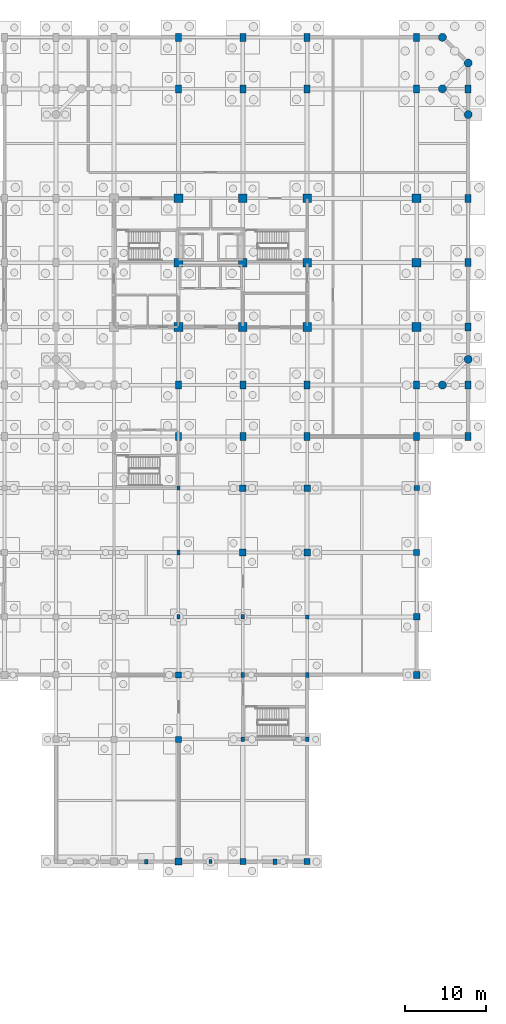
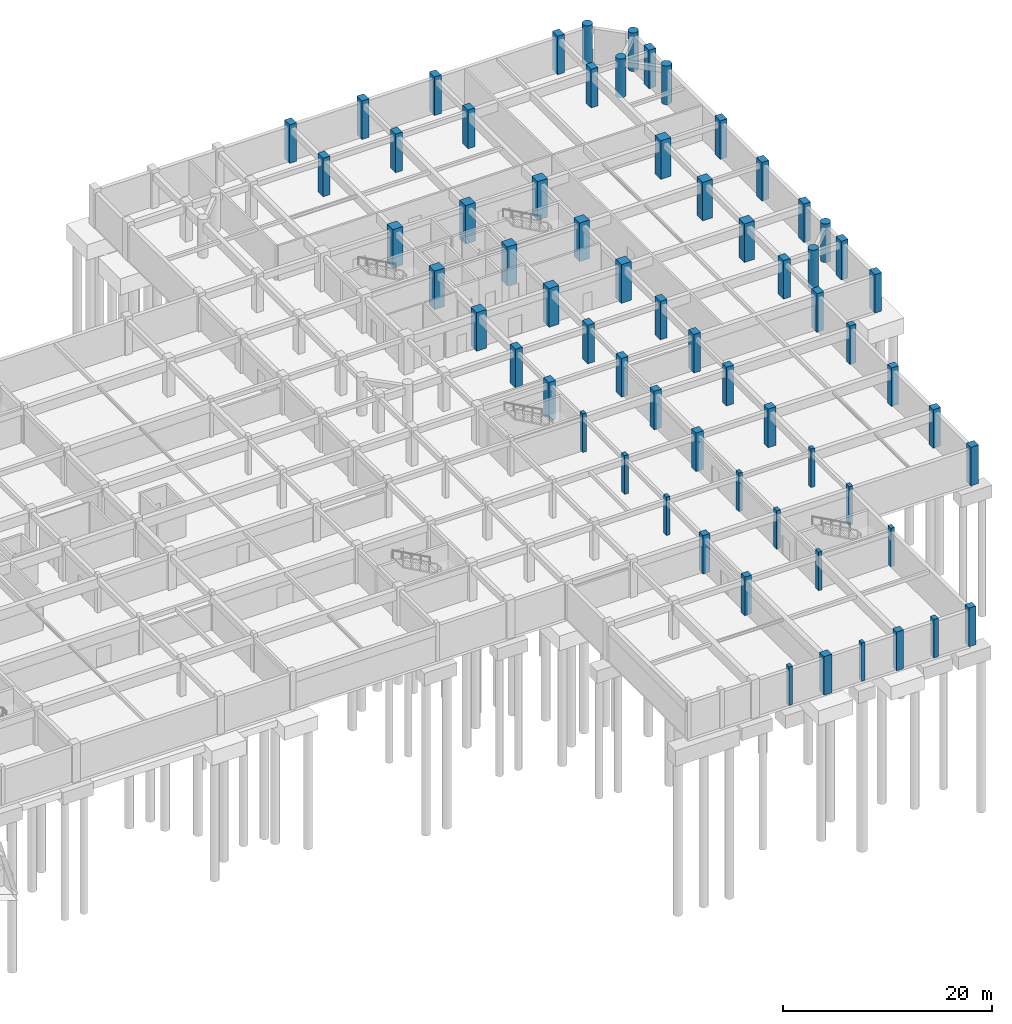
# One storey, part 8 of 28: 65 columns.
"""IFC4 building model written with IfcOpenShell, lengths in metres."""

from ifc_helpers import new_model, si_unit, direction, frame, origin, origin_2d, place, context, subcontext, project, spatial, rectangle, circle, extrude, material, material_profile, profile_set, type_object, element, save


model = new_model("IFC4")

# Units and contexts
model_context = context("Model", 3, precision=1e-05, world=origin(), true_north=direction((0.0, 1.0)))
body_context = subcontext(model_context, "Body", "Model", "MODEL_VIEW")
ifc_project = project(units=[si_unit("LENGTHUNIT", "METRE"), si_unit("AREAUNIT", "SQUARE_METRE"), si_unit("VOLUMEUNIT", "CUBIC_METRE"), si_unit("PLANEANGLEUNIT", "RADIAN"), si_unit("MASSUNIT", "GRAM", prefix="KILO")], contexts=[model_context])

# Site, building, storey
site_placement = place(None, origin())
site = spatial("IfcSite", under=ifc_project, at=site_placement, CompositionType="ELEMENT")
building_placement = place(site_placement, origin())
building = spatial("IfcBuilding", under=site, at=building_placement, Name="Vellmiral Cinema and Media Centre", CompositionType="ELEMENT")
storey_placement = place(building_placement, frame((0.0, 0.0, -4.5)))
storey = spatial("IfcBuildingStorey", under=building, at=storey_placement, Name="B1", CompositionType="ELEMENT", Elevation=-4.5)

# Columns
ifc_material_1 = material(Name="Concrete C40/50", Category="concrete")
ifc_material_profile_1 = material_profile(ifc_material_1, rectangle(XDim=1.10009765625, YDim=1.10009765625, at=origin_2d()), Name="RC 1100x1100")
ifc_profile_set_1 = profile_set([ifc_material_profile_1], Name="Concrete C40/50")
column_type_1 = type_object("IfcColumnType", Name="COL-RC-1100x1100", PredefinedType="COLUMN", material=ifc_profile_set_1)
for number, where, z_axis, x_axis, name in (
    (1, (132.0, 79.199951171875, 0.0), (0.0, 0.0, 1.0), (1.0, 0.0, 0.0), "Column B1-183"),
    (2, (132.0, 87.199951171875, 0.0), (0.0, 0.0, 1.0), (1.0, 0.0, 0.0), "Column B1-184"),
    (3, (132.0, 95.199951171875, 0.0), (0.0, 0.0, 1.0), (1.0, 0.0, 0.0), "Column B1-185"),
    (4, (140.0, 79.199951171875, 0.0), (0.0, 0.0, 1.0), (1.0, 0.0, 0.0), "Column B1-196"),
    (5, (140.0, 87.199951171875, 0.0), (0.0, 0.0, 1.0), (1.0, 0.0, 0.0), "Column B1-197"),
    (6, (140.0, 95.199951171875, 0.0), (0.0, 0.0, 1.0), (1.0, 0.0, 0.0), "Column B1-198"),
    (7, (148.0, 79.199951171875, 0.0), (0.0, 0.0, 1.0), (1.0, 0.0, 0.0), "Column B1-209"),
    (8, (148.0, 87.199951171875, 0.0), (0.0, 0.0, 1.0), (1.0, 0.0, 0.0), "Column B1-210"),
    (9, (148.0, 95.199951171875, 0.0), (0.0, 0.0, 1.0), (1.0, 0.0, 0.0), "Column B1-211"),
    (10, (161.60009765625, 79.199951171875, 0.0), (0.0, 0.0, 1.0), (1.0, 0.0, 0.0), "Column B1-220"),
    (11, (161.60009765625, 87.199951171875, 0.0), (0.0, 0.0, 1.0), (1.0, 0.0, 0.0), "Column B1-221"),
    (12, (161.60009765625, 95.199951171875, 0.0), (0.0, 0.0, 1.0), (1.0, 0.0, 0.0), "Column B1-222"),
):
    element("IfcColumn", number, at=place(storey_placement, frame(where, z_axis=z_axis, x_axis=x_axis)), inside=storey, type_object=column_type_1, Name=name, PredefinedType="COLUMN", context=body_context, shape_type="SweptSolid", body=[
        extrude(rectangle(XDim=1.10009765625, YDim=1.10009765625, at=origin_2d()), origin(), (0.0, 0.0, 1.0), 4.5),
    ])
ifc_material_2 = material(Name="Concrete C40/50", Category="concrete")
ifc_material_profile_2 = material_profile(ifc_material_2, rectangle(XDim=0.39990234375, YDim=0.5, at=origin_2d()), Name="RC 400x500")
ifc_profile_set_2 = profile_set([ifc_material_profile_2], Name="Concrete C40/50")
column_type_2 = type_object("IfcColumnType", Name="COL-RC-400x500", PredefinedType="COLUMN", material=ifc_profile_set_2)
for number, where, z_axis, x_axis, name in (
    (13, (132.0, 59.199951171875, 0.0), (0.0, 0.0, 1.0), (1.0, 0.0, 0.0), "Column B1-180"),
    (14, (148.0, 43.199951171875, 0.0), (0.0, 0.0, 1.0), (1.0, 0.0, 0.0), "Column B1-204"),
):
    element("IfcColumn", number, at=place(storey_placement, frame(where, z_axis=z_axis, x_axis=x_axis)), inside=storey, type_object=column_type_2, Name=name, PredefinedType="COLUMN", context=body_context, shape_type="SweptSolid", body=[
        extrude(rectangle(XDim=0.39990234375, YDim=0.5, at=origin_2d()), origin(), (0.0, 0.0, 1.0), 4.5),
    ])
ifc_material_3 = material(Name="Concrete C40/50", Category="concrete")
ifc_material_profile_3 = material_profile(ifc_material_3, rectangle(XDim=0.39990234375, YDim=0.550048828125, at=origin_2d()), Name="RC 400x550")
ifc_profile_set_3 = profile_set([ifc_material_profile_3], Name="Concrete C40/50")
column_type_3 = type_object("IfcColumnType", Name="COL-RC-400x550", PredefinedType="COLUMN", material=ifc_profile_set_3)
for number, where, z_axis, x_axis, name in (
    (15, (132.0, 43.199951171875, 0.0), (0.0, 0.0, 1.0), (1.0, 0.0, 0.0), "Column B1-178"),
    (16, (140.0, 43.199951171875, 0.0), (0.0, 0.0, 1.0), (1.0, 0.0, 0.0), "Column B1-191"),
):
    element("IfcColumn", number, at=place(storey_placement, frame(where, z_axis=z_axis, x_axis=x_axis)), inside=storey, type_object=column_type_3, Name=name, PredefinedType="COLUMN", context=body_context, shape_type="SweptSolid", body=[
        extrude(rectangle(XDim=0.39990234375, YDim=0.550048828125, at=origin_2d()), origin(), (0.0, 0.0, 1.0), 4.5),
    ])
ifc_material_4 = material(Name="Concrete C40/50", Category="concrete")
ifc_material_profile_4 = material_profile(ifc_material_4, rectangle(XDim=0.39990234375, YDim=0.60009765625, at=origin_2d()), Name="RC 400x600")
ifc_profile_set_4 = profile_set([ifc_material_profile_4], Name="Concrete C40/50")
column_type_4 = type_object("IfcColumnType", Name="COL-RC-400x600", PredefinedType="COLUMN", material=ifc_profile_set_4)
for number, where, z_axis, x_axis, name in (
    (17, (132.0, 51.199951171875, 0.0), (0.0, 0.0, 1.0), (1.0, 0.0, 0.0), "Column B1-179"),
    (18, (140.0, 28.0, 0.0), (0.0, 0.0, 1.0), (1.0, 0.0, 0.0), "Column B1-189"),
    (19, (140.0, 36.0, 0.0), (0.0, 0.0, 1.0), (1.0, 0.0, 0.0), "Column B1-190"),
    (20, (148.0, 28.0, 0.0), (0.0, 0.0, 1.0), (1.0, 0.0, 0.0), "Column B1-202"),
    (21, (148.0, 36.0, 0.0), (0.0, 0.0, 1.0), (1.0, 0.0, 0.0), "Column B1-203"),
):
    element("IfcColumn", number, at=place(storey_placement, frame(where, z_axis=z_axis, x_axis=x_axis)), inside=storey, type_object=column_type_4, Name=name, PredefinedType="COLUMN", context=body_context, shape_type="SweptSolid", body=[
        extrude(rectangle(XDim=0.39990234375, YDim=0.60009765625, at=origin_2d()), origin(), (0.0, 0.0, 1.0), 4.5),
    ])
ifc_material_5 = material(Name="Concrete C40/50", Category="concrete")
ifc_material_profile_5 = material_profile(ifc_material_5, rectangle(XDim=0.64990234375, YDim=0.64990234375, at=origin_2d()), Name="RC 650x650")
ifc_profile_set_5 = profile_set([ifc_material_profile_5], Name="Concrete C40/50")
column_type_5 = type_object("IfcColumnType", Name="COL-RC-650x650", PredefinedType="COLUMN", material=ifc_profile_set_5)
column_1_placement = place(storey_placement, frame((161.60009765625, 59.199951171875, 0.0), z_axis=(0.0, 0.0, 1.0), x_axis=(1.0, 0.0, 0.0)))
element("IfcColumn", 22, at=column_1_placement, inside=storey, type_object=column_type_5, Name="Column B1-217", PredefinedType="COLUMN", context=body_context, shape_type="SweptSolid", body=[
    extrude(rectangle(XDim=0.64990234375, YDim=0.64990234375, at=origin_2d()), origin(), (0.0, 0.0, 1.0), 4.5),
])
ifc_material_6 = material(Name="Concrete C40/50", Category="concrete")
ifc_material_profile_6 = material_profile(ifc_material_6, rectangle(XDim=0.75, YDim=1.0, at=origin_2d()), Name="RC 750x1000")
ifc_profile_set_6 = profile_set([ifc_material_profile_6], Name="Concrete C40/50")
column_type_6 = type_object("IfcColumnType", Name="COL-RC-750x1000", PredefinedType="COLUMN", material=ifc_profile_set_6)
for number, where, z_axis, x_axis, name in (
    (23, (132.0, 65.60009765625, 0.0), (0.0, 0.0, 1.0), (1.0, 0.0, 0.0), "Column B1-181"),
    (24, (132.0, 72.0, 0.0), (0.0, 0.0, 1.0), (1.0, 0.0, 0.0), "Column B1-182"),
    (25, (132.0, 108.800048828125, 0.0), (0.0, 0.0, 1.0), (1.0, 0.0, 0.0), "Column B1-186"),
    (26, (132.0, 115.199951171875, 0.0), (0.0, 0.0, 1.0), (1.0, 0.0, 0.0), "Column B1-187"),
    (27, (140.0, 65.60009765625, 0.0), (0.0, 0.0, 1.0), (1.0, 0.0, 0.0), "Column B1-194"),
    (28, (140.0, 72.0, 0.0), (0.0, 0.0, 1.0), (1.0, 0.0, 0.0), "Column B1-195"),
    (29, (140.0, 108.800048828125, 0.0), (0.0, 0.0, 1.0), (1.0, 0.0, 0.0), "Column B1-199"),
    (30, (140.0, 115.199951171875, 0.0), (0.0, 0.0, 1.0), (1.0, 0.0, 0.0), "Column B1-200"),
    (31, (148.0, 65.60009765625, 0.0), (0.0, 0.0, 1.0), (1.0, 0.0, 0.0), "Column B1-207"),
    (32, (148.0, 72.0, 0.0), (0.0, 0.0, 1.0), (1.0, 0.0, 0.0), "Column B1-208"),
    (33, (148.0, 108.800048828125, 0.0), (0.0, 0.0, 1.0), (1.0, 0.0, 0.0), "Column B1-212"),
    (34, (148.0, 115.199951171875, 0.0), (0.0, 0.0, 1.0), (1.0, 0.0, 0.0), "Column B1-213"),
    (35, (161.60009765625, 65.60009765625, 0.0), (0.0, 0.0, 1.0), (1.0, 0.0, 0.0), "Column B1-218"),
    (36, (161.60009765625, 72.0, 0.0), (0.0, 0.0, 1.0), (1.0, 0.0, 0.0), "Column B1-219"),
    (37, (161.60009765625, 108.800048828125, 0.0), (0.0, 0.0, 1.0), (1.0, 0.0, 0.0), "Column B1-223"),
    (38, (161.60009765625, 115.199951171875, 0.0), (0.0, 0.0, 1.0), (1.0, 0.0, 0.0), "Column B1-224"),
    (39, (168.0, 65.60009765625, 0.0), (0.0, 0.0, 1.0), (1.0, 0.0, 0.0), "Column B1-228"),
    (40, (168.0, 72.0, 0.0), (0.0, 0.0, 1.0), (1.0, 0.0, 0.0), "Column B1-229"),
    (41, (168.0, 79.199951171875, 0.0), (0.0, 0.0, 1.0), (1.0, 0.0, 0.0), "Column B1-231"),
    (42, (168.0, 87.199951171875, 0.0), (0.0, 0.0, 1.0), (1.0, 0.0, 0.0), "Column B1-232"),
    (43, (168.0, 95.199951171875, 0.0), (0.0, 0.0, 1.0), (1.0, 0.0, 0.0), "Column B1-233"),
    (44, (168.0, 108.800048828125, 0.0), (0.0, 0.0, 1.0), (1.0, 0.0, 0.0), "Column B1-235"),
):
    element("IfcColumn", number, at=place(storey_placement, frame(where, z_axis=z_axis, x_axis=x_axis)), inside=storey, type_object=column_type_6, Name=name, PredefinedType="COLUMN", context=body_context, shape_type="SweptSolid", body=[
        extrude(rectangle(XDim=0.75, YDim=1.0, at=origin_2d()), origin(), (0.0, 0.0, 1.0), 4.5),
    ])
ifc_material_7 = material(Name="Concrete C40/50", Category="concrete")
ifc_material_profile_7 = material_profile(ifc_material_7, rectangle(XDim=0.75, YDim=0.75, at=origin_2d()), Name="RC 750x750")
ifc_profile_set_7 = profile_set([ifc_material_profile_7], Name="Concrete C40/50")
column_type_7 = type_object("IfcColumnType", Name="COL-RC-750x750", PredefinedType="COLUMN", material=ifc_profile_set_7)
for number, where, z_axis, x_axis, name in (
    (45, (132.0, 28.0, 0.0), (0.0, 0.0, 1.0), (1.0, 0.0, 0.0), "Column B1-176"),
    (46, (132.0, 36.0, 0.0), (0.0, 0.0, 1.0), (1.0, 0.0, 0.0), "Column B1-177"),
    (47, (140.0, 12.800048828125, 0.0), (0.0, 0.0, 1.0), (1.0, 0.0, 0.0), "Column B1-188"),
    (48, (148.0, 12.800048828125, 0.0), (0.0, 0.0, 1.0), (1.0, 0.0, 0.0), "Column B1-201"),
    (49, (161.60009765625, 51.199951171875, 0.0), (0.0, 0.0, 1.0), (1.0, 0.0, 0.0), "Column B1-216"),
):
    element("IfcColumn", number, at=place(storey_placement, frame(where, z_axis=z_axis, x_axis=x_axis)), inside=storey, type_object=column_type_7, Name=name, PredefinedType="COLUMN", context=body_context, shape_type="SweptSolid", body=[
        extrude(rectangle(XDim=0.75, YDim=0.75, at=origin_2d()), origin(), (0.0, 0.0, 1.0), 4.5),
    ])
ifc_material_8 = material(Name="Concrete C40/50", Category="concrete")
ifc_material_profile_8 = material_profile(ifc_material_8, rectangle(XDim=0.800048828125, YDim=0.800048828125, at=origin_2d()), Name="RC 800x800")
ifc_profile_set_8 = profile_set([ifc_material_profile_8], Name="Concrete C40/50")
column_type_8 = type_object("IfcColumnType", Name="COL-RC-800x800", PredefinedType="COLUMN", material=ifc_profile_set_8)
for number, where, z_axis, x_axis, name in (
    (50, (140.0, 59.199951171875, 0.0), (0.0, 0.0, 1.0), (1.0, 0.0, 0.0), "Column B1-193"),
    (51, (148.0, 59.199951171875, 0.0), (0.0, 0.0, 1.0), (1.0, 0.0, 0.0), "Column B1-206"),
    (52, (161.60009765625, 43.199951171875, 0.0), (0.0, 0.0, 1.0), (1.0, 0.0, 0.0), "Column B1-215"),
):
    element("IfcColumn", number, at=place(storey_placement, frame(where, z_axis=z_axis, x_axis=x_axis)), inside=storey, type_object=column_type_8, Name=name, PredefinedType="COLUMN", context=body_context, shape_type="SweptSolid", body=[
        extrude(rectangle(XDim=0.800048828125, YDim=0.800048828125, at=origin_2d()), origin(), (0.0, 0.0, 1.0), 4.5),
    ])
ifc_material_9 = material(Name="Concrete C40/50", Category="concrete")
ifc_material_profile_9 = material_profile(ifc_material_9, rectangle(XDim=0.85009765625, YDim=0.85009765625, at=origin_2d()), Name="RC 850x850")
ifc_profile_set_9 = profile_set([ifc_material_profile_9], Name="Concrete C40/50")
column_type_9 = type_object("IfcColumnType", Name="COL-RC-850x850", PredefinedType="COLUMN", material=ifc_profile_set_9)
for number, where, z_axis, x_axis, name in (
    (53, (132.0, 12.800048828125, 0.0), (0.0, 0.0, 1.0), (1.0, 0.0, 0.0), "Column B1-175"),
    (54, (140.0, 51.199951171875, 0.0), (0.0, 0.0, 1.0), (1.0, 0.0, 0.0), "Column B1-192"),
    (55, (148.0, 51.199951171875, 0.0), (0.0, 0.0, 1.0), (1.0, 0.0, 0.0), "Column B1-205"),
    (56, (161.60009765625, 36.0, 0.0), (0.0, 0.0, 1.0), (1.0, 0.0, 0.0), "Column B1-214"),
):
    element("IfcColumn", number, at=place(storey_placement, frame(where, z_axis=z_axis, x_axis=x_axis)), inside=storey, type_object=column_type_9, Name=name, PredefinedType="COLUMN", context=body_context, shape_type="SweptSolid", body=[
        extrude(rectangle(XDim=0.85009765625, YDim=0.85009765625, at=origin_2d()), origin(), (0.0, 0.0, 1.0), 4.5),
    ])
ifc_material_10 = material(Name="Concrete C40/50", Category="concrete")
ifc_material_profile_10 = material_profile(ifc_material_10, circle(Radius=0.5, at=origin_2d()), Name="RC D1000")
ifc_profile_set_10 = profile_set([ifc_material_profile_10], Name="Concrete C40/50")
column_type_10 = type_object("IfcColumnType", Name="COL-RCC-D1000", PredefinedType="COLUMN", material=ifc_profile_set_10)
for number, where, z_axis, x_axis, name in (
    (57, (164.800048828125, 72.0, 0.0), (0.0, 0.0, 1.0), (1.0, 0.0, 0.0), "Column B1-225"),
    (58, (164.800048828125, 108.800048828125, 0.0), (0.0, 0.0, 1.0), (1.0, 0.0, 0.0), "Column B1-226"),
    (59, (164.800048828125, 115.199951171875, 0.0), (0.0, 0.0, 1.0), (1.0, 0.0, 0.0), "Column B1-227"),
    (60, (168.0, 75.199951171875, 0.0), (0.0, 0.0, 1.0), (1.0, 0.0, 0.0), "Column B1-230"),
    (61, (168.0, 105.60009765625, 0.0), (0.0, 0.0, 1.0), (1.0, 0.0, 0.0), "Column B1-234"),
    (62, (168.0, 112.0, 0.0), (0.0, 0.0, 1.0), (1.0, 0.0, 0.0), "Column B1-236"),
):
    element("IfcColumn", number, at=place(storey_placement, frame(where, z_axis=z_axis, x_axis=x_axis)), inside=storey, type_object=column_type_10, Name=name, PredefinedType="COLUMN", context=body_context, shape_type="SweptSolid", body=[
        extrude(circle(Radius=0.5, at=origin_2d()), origin(), (0.0, 0.0, 1.0), 4.5),
    ])
ifc_material_11 = material(Name="Vosges Red Sandstone Masonry", Category="masonry")
ifc_material_profile_11 = material_profile(ifc_material_11, rectangle(XDim=0.35009765625, YDim=0.5, at=origin_2d()), Name="SAND 350x500")
ifc_profile_set_11 = profile_set([ifc_material_profile_11], Name="Vosges Red Sandstone Masonry")
column_type_11 = type_object("IfcColumnType", Name="PIL-SAND-350x500", PredefinedType="PILASTER", material=ifc_profile_set_11)
column_2_placement = place(storey_placement, frame((136.0, 12.800048828125, 0.0), z_axis=(0.0, 0.0, 1.0), x_axis=(1.0, 0.0, 0.0)))
element("IfcColumn", 63, at=column_2_placement, inside=storey, type_object=column_type_11, Name="Sandstone Arcade Pilaster B1-06", PredefinedType="PILASTER", context=body_context, shape_type="SweptSolid", body=[
    extrude(rectangle(XDim=0.35009765625, YDim=0.5, at=origin_2d()), origin(), (0.0, 0.0, 1.0), 4.5),
])
ifc_material_12 = material(Name="Vosges Red Sandstone Masonry", Category="masonry")
ifc_material_profile_12 = material_profile(ifc_material_12, rectangle(XDim=0.39990234375, YDim=0.550048828125, at=origin_2d()), Name="SAND 400x550")
ifc_profile_set_12 = profile_set([ifc_material_profile_12], Name="Vosges Red Sandstone Masonry")
column_type_12 = type_object("IfcColumnType", Name="PIL-SAND-400x550", PredefinedType="PILASTER", material=ifc_profile_set_12)
column_3_placement = place(storey_placement, frame((128.0, 12.800048828125, 0.0), z_axis=(0.0, 0.0, 1.0), x_axis=(1.0, 0.0, 0.0)))
element("IfcColumn", 64, at=column_3_placement, inside=storey, type_object=column_type_12, Name="Sandstone Arcade Pilaster B1-05", PredefinedType="PILASTER", context=body_context, shape_type="SweptSolid", body=[
    extrude(rectangle(XDim=0.39990234375, YDim=0.550048828125, at=origin_2d()), origin(), (0.0, 0.0, 1.0), 4.5),
])
ifc_material_13 = material(Name="Vosges Red Sandstone Masonry", Category="masonry")
ifc_material_profile_13 = material_profile(ifc_material_13, rectangle(XDim=0.5, YDim=0.64990234375, at=origin_2d()), Name="SAND 500x650")
ifc_profile_set_13 = profile_set([ifc_material_profile_13], Name="Vosges Red Sandstone Masonry")
column_type_13 = type_object("IfcColumnType", Name="PIL-SAND-500x650", PredefinedType="PILASTER", material=ifc_profile_set_13)
column_4_placement = place(storey_placement, frame((144.0, 12.800048828125, 0.0), z_axis=(0.0, 0.0, 1.0), x_axis=(1.0, 0.0, 0.0)))
element("IfcColumn", 65, at=column_4_placement, inside=storey, type_object=column_type_13, Name="Sandstone Arcade Pilaster B1-07", PredefinedType="PILASTER", context=body_context, shape_type="SweptSolid", body=[
    extrude(rectangle(XDim=0.5, YDim=0.64990234375, at=origin_2d()), origin(), (0.0, 0.0, 1.0), 4.5),
])

save(model, "model.ifc")
